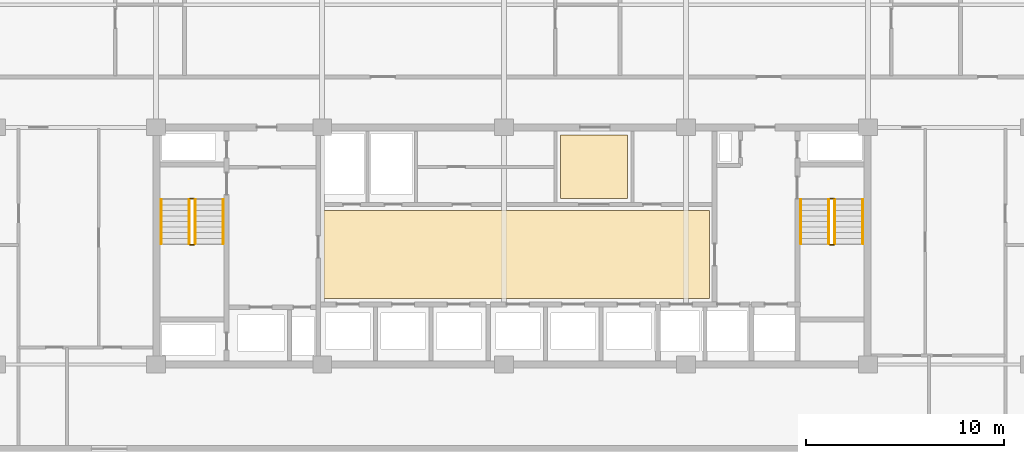
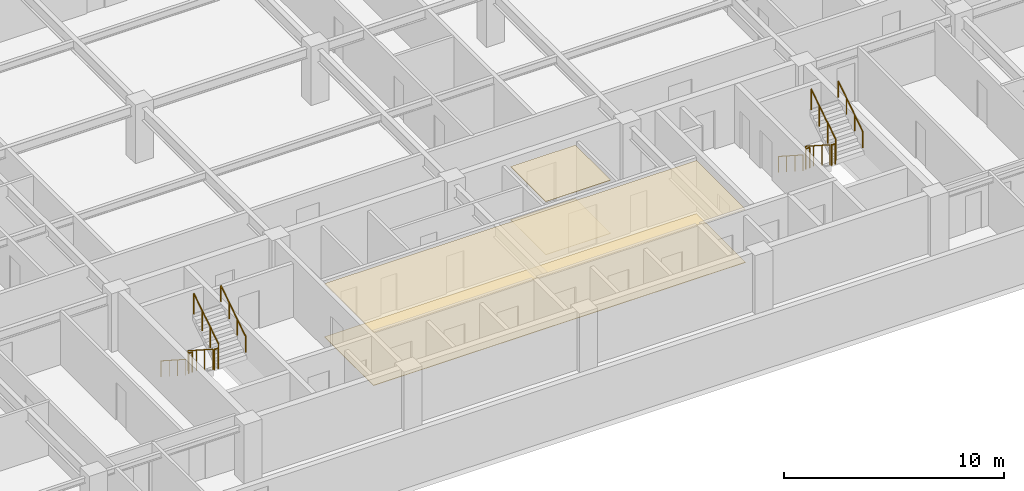
# One storey, part 37 of 38: 12 railings, 4 coverings.
"""IFC4 building model written with IfcOpenShell, lengths in metres."""

from ifc_helpers import new_model, si_unit, direction, frame, origin, origin_2d, place, context, subcontext, project, spatial, polyline, circle, outline, extrude, material, layer, layer_set, type_object, element, save


model = new_model("IFC4")

# Units and contexts
model_context = context("Model", 3, precision=1e-05, world=origin(), true_north=direction((0.0, 1.0)))
body_context = subcontext(model_context, "Body", "Model", "MODEL_VIEW")
ifc_project = project(units=[si_unit("LENGTHUNIT", "METRE"), si_unit("AREAUNIT", "SQUARE_METRE"), si_unit("VOLUMEUNIT", "CUBIC_METRE"), si_unit("PLANEANGLEUNIT", "RADIAN"), si_unit("MASSUNIT", "GRAM", prefix="KILO")], contexts=[model_context])

# Site, building, storey
site_placement = place(None, origin())
site = spatial("IfcSite", under=ifc_project, at=site_placement, CompositionType="ELEMENT")
building_placement = place(site_placement, origin())
building = spatial("IfcBuilding", under=site, at=building_placement, Name="Korimba Cascade Residences", CompositionType="ELEMENT")
storey_placement = place(building_placement, frame((0.0, 0.0, 93.800048828125)))
storey = spatial("IfcBuildingStorey", under=building, at=storey_placement, Name="L26", CompositionType="ELEMENT", Elevation=93.800048828125)

# Coverings
ifc_material_1 = material(Name="Perforated Acoustic Gypsum Ceiling", Category="gypsum")
ifc_layer_1 = layer(ifc_material_1, 0.02490234375)
ifc_layer_set_1 = layer_set([ifc_layer_1], Name="Perforated Acoustic Gypsum Ceiling")
covering_type_1 = type_object("IfcCoveringType", Name="COV-CLG-AC", PredefinedType="CEILING", material=ifc_layer_set_1)
covering_1_placement = place(storey_placement, frame((0.0, 0.0, 2.945068359375)))
element("IfcCovering", 1, at=covering_1_placement, inside=storey, type_object=covering_type_1, Name="L26 Suspended Acoustic Ceiling L26-LL1", PredefinedType="CEILING", context=body_context, shape_type="SweptSolid", body=[
    extrude(outline(polyline([(84.60009765625, 58.550048828125), (104.10009765625, 58.550048828125), (104.10009765625, 63.0), (84.60009765625, 63.0), (84.60009765625, 58.550048828125)])), origin(), (0.0, 0.0, 1.0), 0.02490234375),
])
covering_2_placement = place(storey_placement, frame((0.0, 0.0, 2.945068359375)))
element("IfcCovering", 2, at=covering_2_placement, inside=storey, type_object=covering_type_1, Name="L26 Suspended Acoustic Ceiling L26-LT1", PredefinedType="CEILING", context=body_context, shape_type="SweptSolid", body=[
    extrude(outline(polyline([(96.550048828125, 63.60009765625), (99.949951171875, 63.60009765625), (99.949951171875, 66.800048828125), (96.550048828125, 66.800048828125), (96.550048828125, 63.60009765625)])), origin(), (0.0, 0.0, 1.0), 0.02490234375),
])
ifc_material_2 = material(Name="Honed Travertine Stone Flooring", Category="masonry")
ifc_layer_2 = layer(ifc_material_2, 0.02490234375)
ifc_layer_set_2 = layer_set([ifc_layer_2], Name="Honed Travertine Stone Flooring")
covering_type_2 = type_object("IfcCoveringType", Name="COV-FLR-STN", PredefinedType="FLOORING", material=ifc_layer_set_2)
covering_3_placement = place(storey_placement, origin())
element("IfcCovering", 3, at=covering_3_placement, inside=storey, type_object=covering_type_2, Name="L26 Honed Travertine Stone Flooring L26-LL1", PredefinedType="FLOORING", context=body_context, shape_type="SweptSolid", body=[
    extrude(outline(polyline([(84.60009765625, 58.550048828125), (104.10009765625, 58.550048828125), (104.10009765625, 63.0), (84.60009765625, 63.0), (84.60009765625, 58.550048828125)])), origin(), (0.0, 0.0, 1.0), 0.02490234375),
])
covering_4_placement = place(storey_placement, origin())
element("IfcCovering", 4, at=covering_4_placement, inside=storey, type_object=covering_type_2, Name="L26 Honed Travertine Stone Flooring L26-LT1", PredefinedType="FLOORING", context=body_context, shape_type="SweptSolid", body=[
    extrude(outline(polyline([(96.550048828125, 63.60009765625), (99.949951171875, 63.60009765625), (99.949951171875, 66.800048828125), (96.550048828125, 66.800048828125), (96.550048828125, 63.60009765625)])), origin(), (0.0, 0.0, 1.0), 0.02490234375),
])

# Railings
ifc_material_3 = material(Name="Painted Steel Stairwell Guardrail", Category="steel")
railing_type_1 = type_object("IfcRailingType", Name="RLG-ST-GD1150", PredefinedType="GUARDRAIL", material=ifc_material_3)
railing_1_placement = place(storey_placement, frame((77.77001953125, 63.550048828125, 0.180419921875)))
element("IfcRailing", 5, at=railing_1_placement, inside=storey, type_object=railing_type_1, Name="L26 ST-W1 stair guard 1", PredefinedType="GUARDRAIL", context=body_context, shape_type="SweptSolid", body=[
    extrude(circle(Radius=0.02392578125, at=origin_2d()), frame((0.0, 0.0, 1.1259765625), z_axis=(0.0, -0.840394893359, 0.541974559565), x_axis=(1.0, 0.0, 0.0)), (0.0, 0.0, 1.0), 2.665283203125),
    extrude(circle(Radius=0.02099609375, at=origin_2d()), origin(), (0.0, 0.0, 1.0), 1.101806640625),
    extrude(circle(Radius=0.02099609375, at=origin_2d()), frame((0.0, -0.74658203125, 0.4814453125)), (0.0, 0.0, 1.0), 1.101806640625),
    extrude(circle(Radius=0.02099609375, at=origin_2d()), frame((0.0, -1.493408203125, 0.963134765625)), (0.0, 0.0, 1.0), 1.101806640625),
    extrude(circle(Radius=0.02099609375, at=origin_2d()), frame((0.0, -2.239990234375, 1.444580078125)), (0.0, 0.0, 1.0), 1.101806640625),
])
railing_2_placement = place(storey_placement, frame((77.820068359375, 61.260009765625, 1.625)))
element("IfcRailing", 6, at=railing_2_placement, inside=storey, type_object=railing_type_1, Name="L26 ST-W1 stair guard 2", PredefinedType="GUARDRAIL", context=body_context, shape_type="SweptSolid", body=[
    extrude(circle(Radius=0.02392578125, at=origin_2d()), frame((0.0, 0.0, 1.1259765625), z_axis=(1.0, 0.0, 0.0), x_axis=(0.0, 1.0, 0.0)), (0.0, 0.0, 1.0), 0.199951171875),
    extrude(circle(Radius=0.02099609375, at=origin_2d()), origin(), (0.0, 0.0, 1.0), 1.101806640625),
    extrude(circle(Radius=0.02099609375, at=origin_2d()), frame((0.199951171875, 0.0, 0.0)), (0.0, 0.0, 1.0), 1.101806640625),
])
railing_3_placement = place(storey_placement, frame((78.070068359375, 61.31005859375, 1.805419921875)))
element("IfcRailing", 7, at=railing_3_placement, inside=storey, type_object=railing_type_1, Name="L26 ST-W1 stair guard 3", PredefinedType="GUARDRAIL", context=body_context, shape_type="SweptSolid", body=[
    extrude(circle(Radius=0.02392578125, at=origin_2d()), frame((0.0, 0.0, 1.1259765625), z_axis=(0.0, 0.840394893359, 0.541974559565), x_axis=(-1.0, 0.0, 0.0)), (0.0, 0.0, 1.0), 2.665283203125),
    extrude(circle(Radius=0.02099609375, at=origin_2d()), origin(), (0.0, 0.0, 1.0), 1.101806640625),
    extrude(circle(Radius=0.02099609375, at=origin_2d()), frame((0.0, 0.74658203125, 0.4814453125)), (0.0, 0.0, 1.0), 1.101806640625),
    extrude(circle(Radius=0.02099609375, at=origin_2d()), frame((0.0, 1.493408203125, 0.963134765625)), (0.0, 0.0, 1.0), 1.101806640625),
    extrude(circle(Radius=0.02099609375, at=origin_2d()), frame((0.0, 2.239990234375, 1.444580078125)), (0.0, 0.0, 1.0), 1.101806640625),
])
railing_4_placement = place(storey_placement, frame((77.820068359375, 63.60009765625, 0.0)))
element("IfcRailing", 8, at=railing_4_placement, inside=storey, type_object=railing_type_1, Name="L26 ST-W1 stair guard 4", PredefinedType="GUARDRAIL", context=body_context, shape_type="SweptSolid", body=[
    extrude(circle(Radius=0.02392578125, at=origin_2d()), frame((0.0, 0.0, 1.1259765625), z_axis=(1.0, 0.0, 0.0), x_axis=(0.0, 1.0, 0.0)), (0.0, 0.0, 1.0), 0.199951171875),
    extrude(circle(Radius=0.02099609375, at=origin_2d()), origin(), (0.0, 0.0, 1.0), 1.101806640625),
    extrude(circle(Radius=0.02099609375, at=origin_2d()), frame((0.199951171875, 0.0, 0.0)), (0.0, 0.0, 1.0), 1.101806640625),
])
railing_5_placement = place(storey_placement, frame((110.1298828125, 63.550048828125, 0.180419921875)))
element("IfcRailing", 9, at=railing_5_placement, inside=storey, type_object=railing_type_1, Name="L26 ST-W2 stair guard 1", PredefinedType="GUARDRAIL", context=body_context, shape_type="SweptSolid", body=[
    extrude(circle(Radius=0.02392578125, at=origin_2d()), frame((0.0, 0.0, 1.1259765625), z_axis=(0.0, -0.840394893359, 0.541974559565), x_axis=(1.0, 0.0, 0.0)), (0.0, 0.0, 1.0), 2.665283203125),
    extrude(circle(Radius=0.02099609375, at=origin_2d()), origin(), (0.0, 0.0, 1.0), 1.101806640625),
    extrude(circle(Radius=0.02099609375, at=origin_2d()), frame((0.0, -0.74658203125, 0.4814453125)), (0.0, 0.0, 1.0), 1.101806640625),
    extrude(circle(Radius=0.02099609375, at=origin_2d()), frame((0.0, -1.493408203125, 0.963134765625)), (0.0, 0.0, 1.0), 1.101806640625),
    extrude(circle(Radius=0.02099609375, at=origin_2d()), frame((0.0, -2.239990234375, 1.444580078125)), (0.0, 0.0, 1.0), 1.101806640625),
])
railing_6_placement = place(storey_placement, frame((110.179931640625, 61.260009765625, 1.625)))
element("IfcRailing", 10, at=railing_6_placement, inside=storey, type_object=railing_type_1, Name="L26 ST-W2 stair guard 2", PredefinedType="GUARDRAIL", context=body_context, shape_type="SweptSolid", body=[
    extrude(circle(Radius=0.02392578125, at=origin_2d()), frame((0.0, 0.0, 1.1259765625), z_axis=(1.0, 0.0, 0.0), x_axis=(0.0, 1.0, 0.0)), (0.0, 0.0, 1.0), 0.199951171875),
    extrude(circle(Radius=0.02099609375, at=origin_2d()), origin(), (0.0, 0.0, 1.0), 1.101806640625),
    extrude(circle(Radius=0.02099609375, at=origin_2d()), frame((0.199951171875, 0.0, 0.0)), (0.0, 0.0, 1.0), 1.101806640625),
])
railing_7_placement = place(storey_placement, frame((110.429931640625, 61.31005859375, 1.805419921875)))
element("IfcRailing", 11, at=railing_7_placement, inside=storey, type_object=railing_type_1, Name="L26 ST-W2 stair guard 3", PredefinedType="GUARDRAIL", context=body_context, shape_type="SweptSolid", body=[
    extrude(circle(Radius=0.02392578125, at=origin_2d()), frame((0.0, 0.0, 1.1259765625), z_axis=(0.0, 0.840394893359, 0.541974559565), x_axis=(-1.0, 0.0, 0.0)), (0.0, 0.0, 1.0), 2.665283203125),
    extrude(circle(Radius=0.02099609375, at=origin_2d()), origin(), (0.0, 0.0, 1.0), 1.101806640625),
    extrude(circle(Radius=0.02099609375, at=origin_2d()), frame((0.0, 0.74658203125, 0.4814453125)), (0.0, 0.0, 1.0), 1.101806640625),
    extrude(circle(Radius=0.02099609375, at=origin_2d()), frame((0.0, 1.493408203125, 0.963134765625)), (0.0, 0.0, 1.0), 1.101806640625),
    extrude(circle(Radius=0.02099609375, at=origin_2d()), frame((0.0, 2.239990234375, 1.444580078125)), (0.0, 0.0, 1.0), 1.101806640625),
])
railing_8_placement = place(storey_placement, frame((110.179931640625, 63.60009765625, 0.0)))
element("IfcRailing", 12, at=railing_8_placement, inside=storey, type_object=railing_type_1, Name="L26 ST-W2 stair guard 4", PredefinedType="GUARDRAIL", context=body_context, shape_type="SweptSolid", body=[
    extrude(circle(Radius=0.02392578125, at=origin_2d()), frame((0.0, 0.0, 1.1259765625), z_axis=(1.0, 0.0, 0.0), x_axis=(0.0, 1.0, 0.0)), (0.0, 0.0, 1.0), 0.199951171875),
    extrude(circle(Radius=0.02099609375, at=origin_2d()), origin(), (0.0, 0.0, 1.0), 1.101806640625),
    extrude(circle(Radius=0.02099609375, at=origin_2d()), frame((0.199951171875, 0.0, 0.0)), (0.0, 0.0, 1.0), 1.101806640625),
])
ifc_material_4 = material(Name="Brushed Stainless Steel Handrail", Category="steel")
railing_type_2 = type_object("IfcRailingType", Name="RLG-ST-HR900", PredefinedType="HANDRAIL", material=ifc_material_4)
railing_9_placement = place(storey_placement, frame((76.35009765625, 63.550048828125, 0.364990234375)))
element("IfcRailing", 13, at=railing_9_placement, inside=storey, type_object=railing_type_2, Name="L26 ST-W1 stair handrail 1", PredefinedType="HANDRAIL", context=body_context, shape_type="SweptSolid", body=[
    extrude(circle(Radius=0.02392578125, at=origin_2d()), frame((0.0, 0.0, 0.8759765625), z_axis=(0.0, -0.840436612492, 0.541909863706), x_axis=(1.0, 0.0, 0.0)), (0.0, 0.0, 1.0), 2.665283203125),
    extrude(circle(Radius=0.02099609375, at=origin_2d()), origin(), (0.0, 0.0, 1.0), 0.851806640625),
    extrude(circle(Radius=0.02099609375, at=origin_2d()), frame((0.0, -0.74658203125, 0.4814453125)), (0.0, 0.0, 1.0), 0.851806640625),
    extrude(circle(Radius=0.02099609375, at=origin_2d()), frame((0.0, -1.493408203125, 0.962890625)), (0.0, 0.0, 1.0), 0.851806640625),
    extrude(circle(Radius=0.02099609375, at=origin_2d()), frame((0.0, -2.239990234375, 1.4443359375)), (0.0, 0.0, 1.0), 0.851806640625),
])
railing_10_placement = place(storey_placement, frame((79.489990234375, 61.31005859375, 1.989990234375)))
element("IfcRailing", 14, at=railing_10_placement, inside=storey, type_object=railing_type_2, Name="L26 ST-W1 stair handrail 2", PredefinedType="HANDRAIL", context=body_context, shape_type="SweptSolid", body=[
    extrude(circle(Radius=0.02392578125, at=origin_2d()), frame((0.0, 0.0, 0.8759765625), z_axis=(0.0, 0.840436612492, 0.541909863706), x_axis=(-1.0, 0.0, 0.0)), (0.0, 0.0, 1.0), 2.665283203125),
    extrude(circle(Radius=0.02099609375, at=origin_2d()), origin(), (0.0, 0.0, 1.0), 0.851806640625),
    extrude(circle(Radius=0.02099609375, at=origin_2d()), frame((0.0, 0.74658203125, 0.4814453125)), (0.0, 0.0, 1.0), 0.851806640625),
    extrude(circle(Radius=0.02099609375, at=origin_2d()), frame((0.0, 1.493408203125, 0.962890625)), (0.0, 0.0, 1.0), 0.851806640625),
    extrude(circle(Radius=0.02099609375, at=origin_2d()), frame((0.0, 2.239990234375, 1.4443359375)), (0.0, 0.0, 1.0), 0.851806640625),
])
railing_11_placement = place(storey_placement, frame((108.7099609375, 63.550048828125, 0.364990234375)))
element("IfcRailing", 15, at=railing_11_placement, inside=storey, type_object=railing_type_2, Name="L26 ST-W2 stair handrail 1", PredefinedType="HANDRAIL", context=body_context, shape_type="SweptSolid", body=[
    extrude(circle(Radius=0.02392578125, at=origin_2d()), frame((0.0, 0.0, 0.8759765625), z_axis=(0.0, -0.840436612492, 0.541909863706), x_axis=(1.0, 0.0, 0.0)), (0.0, 0.0, 1.0), 2.665283203125),
    extrude(circle(Radius=0.02099609375, at=origin_2d()), origin(), (0.0, 0.0, 1.0), 0.851806640625),
    extrude(circle(Radius=0.02099609375, at=origin_2d()), frame((0.0, -0.74658203125, 0.4814453125)), (0.0, 0.0, 1.0), 0.851806640625),
    extrude(circle(Radius=0.02099609375, at=origin_2d()), frame((0.0, -1.493408203125, 0.962890625)), (0.0, 0.0, 1.0), 0.851806640625),
    extrude(circle(Radius=0.02099609375, at=origin_2d()), frame((0.0, -2.239990234375, 1.4443359375)), (0.0, 0.0, 1.0), 0.851806640625),
])
railing_12_placement = place(storey_placement, frame((111.85009765625, 61.31005859375, 1.989990234375)))
element("IfcRailing", 16, at=railing_12_placement, inside=storey, type_object=railing_type_2, Name="L26 ST-W2 stair handrail 2", PredefinedType="HANDRAIL", context=body_context, shape_type="SweptSolid", body=[
    extrude(circle(Radius=0.02392578125, at=origin_2d()), frame((0.0, 0.0, 0.8759765625), z_axis=(0.0, 0.840436612492, 0.541909863706), x_axis=(-1.0, 0.0, 0.0)), (0.0, 0.0, 1.0), 2.665283203125),
    extrude(circle(Radius=0.02099609375, at=origin_2d()), origin(), (0.0, 0.0, 1.0), 0.851806640625),
    extrude(circle(Radius=0.02099609375, at=origin_2d()), frame((0.0, 0.74658203125, 0.4814453125)), (0.0, 0.0, 1.0), 0.851806640625),
    extrude(circle(Radius=0.02099609375, at=origin_2d()), frame((0.0, 1.493408203125, 0.962890625)), (0.0, 0.0, 1.0), 0.851806640625),
    extrude(circle(Radius=0.02099609375, at=origin_2d()), frame((0.0, 2.239990234375, 1.4443359375)), (0.0, 0.0, 1.0), 0.851806640625),
])

save(model, "model.ifc")
